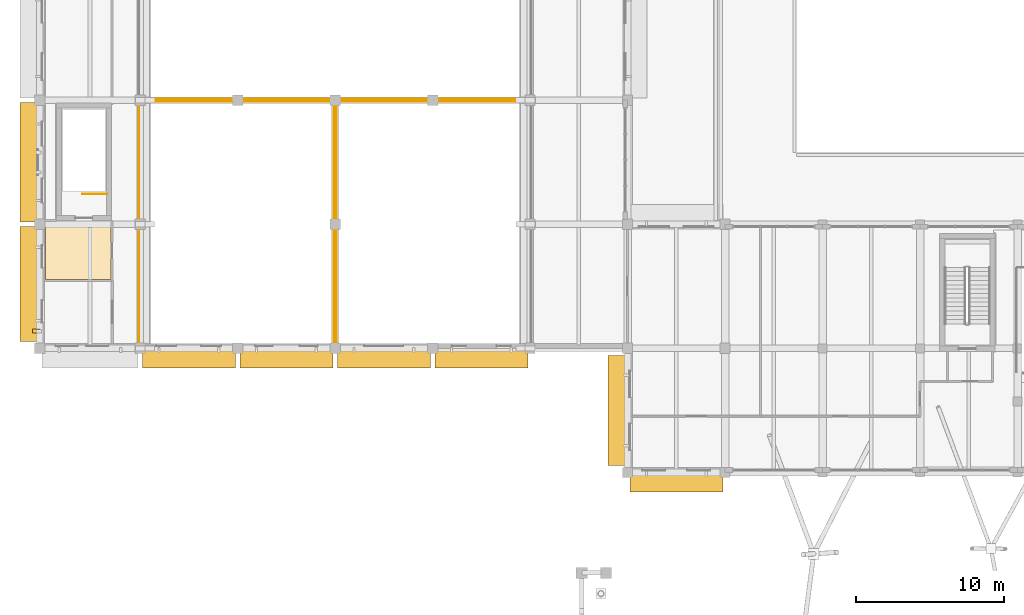
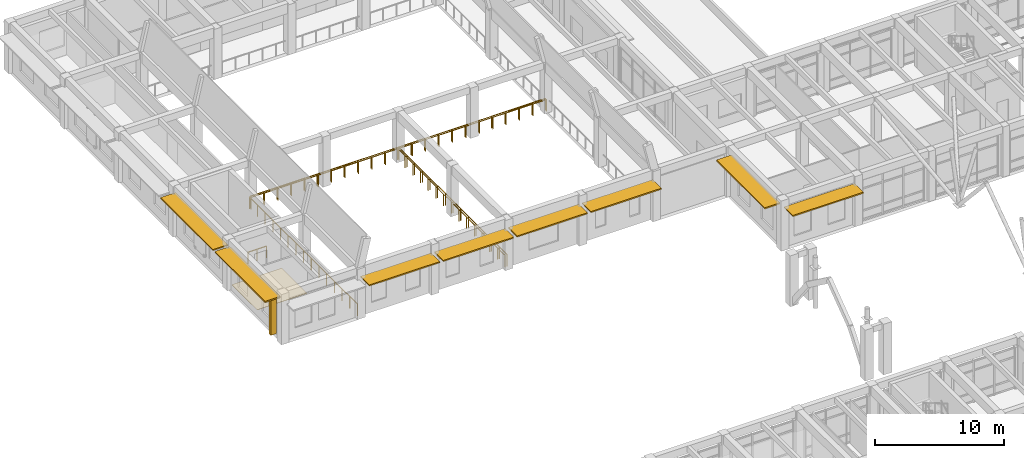
# One storey, part 67 of 75: 9 shading devices, 7 railings, 1 covering.
"""IFC4 building model written with IfcOpenShell, lengths in metres."""

from ifc_helpers import new_model, si_unit, direction, frame, origin, origin_2d, place, context, subcontext, project, spatial, polyline, rectangle, circle, outline, extrude, material, layer, layer_set, type_object, element, save


model = new_model("IFC4")

# Units and contexts
model_context = context("Model", 3, precision=1e-05, world=origin(), true_north=direction((0.0, 1.0)))
body_context = subcontext(model_context, "Body", "Model", "MODEL_VIEW")
ifc_project = project(units=[si_unit("LENGTHUNIT", "METRE"), si_unit("AREAUNIT", "SQUARE_METRE"), si_unit("VOLUMEUNIT", "CUBIC_METRE"), si_unit("PLANEANGLEUNIT", "RADIAN"), si_unit("MASSUNIT", "GRAM", prefix="KILO")], contexts=[model_context])

# Site, building, storey
site_placement = place(None, origin())
site = spatial("IfcSite", under=ifc_project, at=site_placement, CompositionType="ELEMENT")
building_placement = place(site_placement, origin())
building = spatial("IfcBuilding", under=site, at=building_placement, Name="Kolvaren Faculty of Natural Sciences", CompositionType="ELEMENT")
storey_placement = place(building_placement, frame((0.0, 0.0, 5.39990234375)))
storey = spatial("IfcBuildingStorey", under=building, at=storey_placement, Name="L01", CompositionType="ELEMENT", Elevation=5.39990234375)

# Shading devices
ifc_material_1 = material(Name="Precast concrete C35/45", Category="concrete")
ifc_layer_1 = layer(ifc_material_1, 0.1201171875)
ifc_layer_set_1 = layer_set([ifc_layer_1], Name="Precast concrete C35/45")
shading_device_type_1 = type_object("IfcShadingDeviceType", Name="ChhajjaSolarHood_1350", PredefinedType="AWNING", material=ifc_layer_set_1)
shading_device_1_placement = place(storey_placement, frame((-0.655029296875, 80.159912109375, 3.844970703125), z_axis=(0.0, 0.0, 1.0), x_axis=(0.0, 1.0, 0.0)))
element("IfcShadingDevice", 1, at=shading_device_1_placement, inside=storey, type_object=shading_device_type_1, Name="L01 precast sandstone chhajja solar hood 65", PredefinedType="AWNING", context=body_context, shape_type="SweptSolid", body=[
    extrude(rectangle(XDim=7.780029296875, YDim=1.35009765625, at=origin_2d()), origin(), (0.0, 0.0, 1.0), 0.1201171875),
])
shading_device_2_placement = place(storey_placement, frame((-0.655029296875, 88.39990234375, 3.844970703125), z_axis=(0.0, 0.0, 1.0), x_axis=(0.0, 1.0, 0.0)))
element("IfcShadingDevice", 2, at=shading_device_2_placement, inside=storey, type_object=shading_device_type_1, Name="L01 precast sandstone chhajja solar hood 66", PredefinedType="AWNING", context=body_context, shape_type="SweptSolid", body=[
    extrude(rectangle(XDim=8.10009765625, YDim=1.35009765625, at=origin_2d()), origin(), (0.0, 0.0, 1.0), 0.1201171875),
])
shading_device_3_placement = place(storey_placement, frame((43.10009765625, 66.7451171875, 3.695068359375), z_axis=(0.0, 0.0, 1.0), x_axis=(-1.0, 0.0, 0.0)))
element("IfcShadingDevice", 3, at=shading_device_3_placement, inside=storey, type_object=shading_device_type_1, Name="L01 precast sandstone chhajja solar hood 80", PredefinedType="AWNING", context=body_context, shape_type="SweptSolid", body=[
    extrude(rectangle(XDim=6.300048828125, YDim=1.35009765625, at=origin_2d()), origin(), (0.0, 0.0, 1.0), 0.1201171875),
])
shading_device_4_placement = place(storey_placement, frame((39.14501953125, 71.60009765625, 3.844970703125), z_axis=(0.0, 0.0, 1.0), x_axis=(0.0, 1.0, 0.0)))
element("IfcShadingDevice", 4, at=shading_device_4_placement, inside=storey, type_object=shading_device_type_1, Name="L01 precast sandstone chhajja solar hood 81", PredefinedType="AWNING", context=body_context, shape_type="SweptSolid", body=[
    extrude(rectangle(XDim=7.4599609375, YDim=1.35009765625, at=origin_2d()), origin(), (0.0, 0.0, 1.0), 0.1201171875),
])
for number, where, z_axis, x_axis, name in (
    (5, (29.89990234375, 75.14501953125, 3.594970703125), (0.0, 0.0, 1.0), (-1.0, 0.0, 0.0), "L01 precast sandstone chhajja solar hood 82"),
    (6, (23.300048828125, 75.14501953125, 3.594970703125), (0.0, 0.0, 1.0), (-1.0, 0.0, 0.0), "L01 precast sandstone chhajja solar hood 83"),
    (7, (16.699951171875, 75.14501953125, 3.594970703125), (0.0, 0.0, 1.0), (-1.0, 0.0, 0.0), "L01 precast sandstone chhajja solar hood 84"),
    (8, (10.10009765625, 75.14501953125, 3.594970703125), (0.0, 0.0, 1.0), (-1.0, 0.0, 0.0), "L01 precast sandstone chhajja solar hood 85"),
):
    element("IfcShadingDevice", number, at=place(storey_placement, frame(where, z_axis=z_axis, x_axis=x_axis)), inside=storey, type_object=shading_device_type_1, Name=name, PredefinedType="AWNING", context=body_context, shape_type="SweptSolid", body=[
        extrude(rectangle(XDim=6.300048828125, YDim=1.35009765625, at=origin_2d()), origin(), (0.0, 0.0, 1.0), 0.1201171875),
    ])
ifc_layer_2 = layer(ifc_material_1, 0.280029296875)
ifc_layer_set_2 = layer_set([ifc_layer_2], Name="Precast concrete C35/45")
shading_device_type_2 = type_object("IfcShadingDeviceType", Name="FacadeReliefFin_280x520", PredefinedType="USERDEFINED", material=ifc_layer_set_2)
shading_device_5_placement = place(storey_placement, frame((-0.239990234375, 76.969970703125, 0.1201171875), z_axis=(0.0, 0.0, 1.0), x_axis=(0.0, 1.0, 0.0)))
element("IfcShadingDevice", 9, at=shading_device_5_placement, inside=storey, type_object=shading_device_type_2, Name="L01 projecting sandstone facade relief fin 2", ObjectType="FIN", PredefinedType="USERDEFINED", context=body_context, shape_type="SweptSolid", body=[
    extrude(rectangle(XDim=0.280029296875, YDim=0.52001953125, at=origin_2d()), origin(), (0.0, 0.0, 1.0), 3.804931640625),
])

# Railings
ifc_material_2 = material(Name="Structural steel EN 10210-1 S355J2H", Category="steel")
ifc_layer_3 = layer(ifc_material_2, 0.048095703125)
ifc_layer_set_3 = layer_set([ifc_layer_3], Name="Structural steel EN 10210-1 S355J2H")
railing_type_1 = type_object("IfcRailingType", Name="GuardRailing_GDVOID1", PredefinedType="BALUSTRADE", material=ifc_layer_set_3)
railing_1_placement = place(storey_placement, frame((33.199951171875, 92.52001953125, 0.0)))
element("IfcRailing", 10, at=railing_1_placement, inside=storey, type_object=railing_type_1, Name="L01 LT-1 gallery balustrade 38", PredefinedType="BALUSTRADE", context=body_context, shape_type="SweptSolid", body=[
    extrude(circle(Radius=0.02392578125, at=origin_2d()), frame((0.0, 0.0, 1.09619140625), z_axis=(-1.0, 0.0, 0.0), x_axis=(0.0, -1.0, 0.0)), (0.0, 0.0, 1.0), 26.39990234375),
    extrude(circle(Radius=0.02099609375, at=origin_2d()), origin(), (0.0, 0.0, 1.0), 1.072021484375),
    extrude(circle(Radius=0.02099609375, at=origin_2d()), frame((-1.199951171875, 0.0, 0.0)), (0.0, 0.0, 1.0), 1.072021484375),
    extrude(circle(Radius=0.02099609375, at=origin_2d()), frame((-2.39990234375, 0.0, 0.0)), (0.0, 0.0, 1.0), 1.072021484375),
    extrude(circle(Radius=0.02099609375, at=origin_2d()), frame((-3.60009765625, 0.0, 0.0)), (0.0, 0.0, 1.0), 1.072021484375),
    extrude(circle(Radius=0.02099609375, at=origin_2d()), frame((-4.800048828125, 0.0, 0.0)), (0.0, 0.0, 1.0), 1.072021484375),
    extrude(circle(Radius=0.02099609375, at=origin_2d()), frame((-6.0, 0.0, 0.0)), (0.0, 0.0, 1.0), 1.072021484375),
    extrude(circle(Radius=0.02099609375, at=origin_2d()), frame((-7.199951171875, 0.0, 0.0)), (0.0, 0.0, 1.0), 1.072021484375),
    extrude(circle(Radius=0.02099609375, at=origin_2d()), frame((-8.39990234375, 0.0, 0.0)), (0.0, 0.0, 1.0), 1.072021484375),
    extrude(circle(Radius=0.02099609375, at=origin_2d()), frame((-9.599853515625, 0.0, 0.0)), (0.0, 0.0, 1.0), 1.072021484375),
    extrude(circle(Radius=0.02099609375, at=origin_2d()), frame((-10.800048828125, 0.0, 0.0)), (0.0, 0.0, 1.0), 1.072021484375),
    extrude(circle(Radius=0.02099609375, at=origin_2d()), frame((-12.0, 0.0, 0.0)), (0.0, 0.0, 1.0), 1.072021484375),
    extrude(circle(Radius=0.02099609375, at=origin_2d()), frame((-13.199951171875, 0.0, 0.0)), (0.0, 0.0, 1.0), 1.072021484375),
    extrude(circle(Radius=0.02099609375, at=origin_2d()), frame((-14.39990234375, 0.0, 0.0)), (0.0, 0.0, 1.0), 1.072021484375),
    extrude(circle(Radius=0.02099609375, at=origin_2d()), frame((-15.599853515625, 0.0, 0.0)), (0.0, 0.0, 1.0), 1.072021484375),
    extrude(circle(Radius=0.02099609375, at=origin_2d()), frame((-16.800048828125, 0.0, 0.0)), (0.0, 0.0, 1.0), 1.072021484375),
    extrude(circle(Radius=0.02099609375, at=origin_2d()), frame((-18.0, 0.0, 0.0)), (0.0, 0.0, 1.0), 1.072021484375),
    extrude(circle(Radius=0.02099609375, at=origin_2d()), frame((-19.199951171875, 0.0, 0.0)), (0.0, 0.0, 1.0), 1.072021484375),
    extrude(circle(Radius=0.02099609375, at=origin_2d()), frame((-20.39990234375, 0.0, 0.0)), (0.0, 0.0, 1.0), 1.072021484375),
    extrude(circle(Radius=0.02099609375, at=origin_2d()), frame((-21.599853515625, 0.0, 0.0)), (0.0, 0.0, 1.0), 1.072021484375),
    extrude(circle(Radius=0.02099609375, at=origin_2d()), frame((-22.7998046875, 0.0, 0.0)), (0.0, 0.0, 1.0), 1.072021484375),
    extrude(circle(Radius=0.02099609375, at=origin_2d()), frame((-24.0, 0.0, 0.0)), (0.0, 0.0, 1.0), 1.072021484375),
    extrude(circle(Radius=0.02099609375, at=origin_2d()), frame((-25.199951171875, 0.0, 0.0)), (0.0, 0.0, 1.0), 1.072021484375),
    extrude(circle(Radius=0.02099609375, at=origin_2d()), frame((-26.39990234375, 0.0, 0.0)), (0.0, 0.0, 1.0), 1.072021484375),
])
railing_2_placement = place(storey_placement, frame((6.719970703125, 75.919921875, 0.0)))
element("IfcRailing", 11, at=railing_2_placement, inside=storey, type_object=railing_type_1, Name="L01 LT-2 gallery balustrade 45", PredefinedType="BALUSTRADE", context=body_context, shape_type="SweptSolid", body=[
    extrude(circle(Radius=0.02392578125, at=origin_2d()), frame((0.0, 0.0, 1.09619140625), z_axis=(0.0, 1.0, 0.0), x_axis=(-1.0, 0.0, 0.0)), (0.0, 0.0, 1.0), 16.68017578125),
    extrude(circle(Radius=0.02099609375, at=origin_2d()), origin(), (0.0, 0.0, 1.0), 1.072021484375),
    extrude(circle(Radius=0.02099609375, at=origin_2d()), frame((0.0, 1.19140625, 0.0)), (0.0, 0.0, 1.0), 1.072021484375),
    extrude(circle(Radius=0.02099609375, at=origin_2d()), frame((0.0, 2.3828125, 0.0)), (0.0, 0.0, 1.0), 1.072021484375),
    extrude(circle(Radius=0.02099609375, at=origin_2d()), frame((0.0, 3.57421875, 0.0)), (0.0, 0.0, 1.0), 1.072021484375),
    extrude(circle(Radius=0.02099609375, at=origin_2d()), frame((0.0, 4.765869140625, 0.0)), (0.0, 0.0, 1.0), 1.072021484375),
    extrude(circle(Radius=0.02099609375, at=origin_2d()), frame((0.0, 5.957275390625, 0.0)), (0.0, 0.0, 1.0), 1.072021484375),
    extrude(circle(Radius=0.02099609375, at=origin_2d()), frame((0.0, 7.148681640625, 0.0)), (0.0, 0.0, 1.0), 1.072021484375),
    extrude(circle(Radius=0.02099609375, at=origin_2d()), frame((0.0, 8.340087890625, 0.0)), (0.0, 0.0, 1.0), 1.072021484375),
    extrude(circle(Radius=0.02099609375, at=origin_2d()), frame((0.0, 9.531494140625, 0.0)), (0.0, 0.0, 1.0), 1.072021484375),
    extrude(circle(Radius=0.02099609375, at=origin_2d()), frame((0.0, 10.722900390625, 0.0)), (0.0, 0.0, 1.0), 1.072021484375),
    extrude(circle(Radius=0.02099609375, at=origin_2d()), frame((0.0, 11.914306640625, 0.0)), (0.0, 0.0, 1.0), 1.072021484375),
    extrude(circle(Radius=0.02099609375, at=origin_2d()), frame((0.0, 13.10595703125, 0.0)), (0.0, 0.0, 1.0), 1.072021484375),
    extrude(circle(Radius=0.02099609375, at=origin_2d()), frame((0.0, 14.29736328125, 0.0)), (0.0, 0.0, 1.0), 1.072021484375),
    extrude(circle(Radius=0.02099609375, at=origin_2d()), frame((0.0, 15.48876953125, 0.0)), (0.0, 0.0, 1.0), 1.072021484375),
    extrude(circle(Radius=0.02099609375, at=origin_2d()), frame((0.0, 16.68017578125, 0.0)), (0.0, 0.0, 1.0), 1.072021484375),
])
railing_3_placement = place(storey_placement, frame((6.800048828125, 92.679931640625, 0.0)))
element("IfcRailing", 12, at=railing_3_placement, inside=storey, type_object=railing_type_1, Name="L01 LT-2 gallery balustrade 46", PredefinedType="BALUSTRADE", context=body_context, shape_type="SweptSolid", body=[
    extrude(circle(Radius=0.02392578125, at=origin_2d()), frame((0.0, 0.0, 1.09619140625), z_axis=(1.0, 0.0, 0.0), x_axis=(0.0, 1.0, 0.0)), (0.0, 0.0, 1.0), 13.199951171875),
    extrude(circle(Radius=0.02099609375, at=origin_2d()), origin(), (0.0, 0.0, 1.0), 1.072021484375),
    extrude(circle(Radius=0.02099609375, at=origin_2d()), frame((1.199951171875, 0.0, 0.0)), (0.0, 0.0, 1.0), 1.072021484375),
    extrude(circle(Radius=0.02099609375, at=origin_2d()), frame((2.39990234375, 0.0, 0.0)), (0.0, 0.0, 1.0), 1.072021484375),
    extrude(circle(Radius=0.02099609375, at=origin_2d()), frame((3.60009765625, 0.0, 0.0)), (0.0, 0.0, 1.0), 1.072021484375),
    extrude(circle(Radius=0.02099609375, at=origin_2d()), frame((4.800048828125, 0.0, 0.0)), (0.0, 0.0, 1.0), 1.072021484375),
    extrude(circle(Radius=0.02099609375, at=origin_2d()), frame((6.0, 0.0, 0.0)), (0.0, 0.0, 1.0), 1.072021484375),
    extrude(circle(Radius=0.02099609375, at=origin_2d()), frame((7.199951171875, 0.0, 0.0)), (0.0, 0.0, 1.0), 1.072021484375),
    extrude(circle(Radius=0.02099609375, at=origin_2d()), frame((8.39990234375, 0.0, 0.0)), (0.0, 0.0, 1.0), 1.072021484375),
    extrude(circle(Radius=0.02099609375, at=origin_2d()), frame((9.599853515625, 0.0, 0.0)), (0.0, 0.0, 1.0), 1.072021484375),
    extrude(circle(Radius=0.02099609375, at=origin_2d()), frame((10.800048828125, 0.0, 0.0)), (0.0, 0.0, 1.0), 1.072021484375),
    extrude(circle(Radius=0.02099609375, at=origin_2d()), frame((12.0, 0.0, 0.0)), (0.0, 0.0, 1.0), 1.072021484375),
    extrude(circle(Radius=0.02099609375, at=origin_2d()), frame((13.199951171875, 0.0, 0.0)), (0.0, 0.0, 1.0), 1.072021484375),
])
railing_4_placement = place(storey_placement, frame((20.080078125, 92.60009765625, 0.0)))
element("IfcRailing", 13, at=railing_4_placement, inside=storey, type_object=railing_type_1, Name="L01 LT-2 gallery balustrade 47", PredefinedType="BALUSTRADE", context=body_context, shape_type="SweptSolid", body=[
    extrude(circle(Radius=0.02392578125, at=origin_2d()), frame((0.0, 0.0, 1.09619140625), z_axis=(0.0, -1.0, 0.0), x_axis=(1.0, 0.0, 0.0)), (0.0, 0.0, 1.0), 16.68017578125),
    extrude(circle(Radius=0.02099609375, at=origin_2d()), origin(), (0.0, 0.0, 1.0), 1.072021484375),
    extrude(circle(Radius=0.02099609375, at=origin_2d()), frame((0.0, -1.19140625, 0.0)), (0.0, 0.0, 1.0), 1.072021484375),
    extrude(circle(Radius=0.02099609375, at=origin_2d()), frame((0.0, -2.3828125, 0.0)), (0.0, 0.0, 1.0), 1.072021484375),
    extrude(circle(Radius=0.02099609375, at=origin_2d()), frame((0.0, -3.57421875, 0.0)), (0.0, 0.0, 1.0), 1.072021484375),
    extrude(circle(Radius=0.02099609375, at=origin_2d()), frame((0.0, -4.765869140625, 0.0)), (0.0, 0.0, 1.0), 1.072021484375),
    extrude(circle(Radius=0.02099609375, at=origin_2d()), frame((0.0, -5.957275390625, 0.0)), (0.0, 0.0, 1.0), 1.072021484375),
    extrude(circle(Radius=0.02099609375, at=origin_2d()), frame((0.0, -7.148681640625, 0.0)), (0.0, 0.0, 1.0), 1.072021484375),
    extrude(circle(Radius=0.02099609375, at=origin_2d()), frame((0.0, -8.340087890625, 0.0)), (0.0, 0.0, 1.0), 1.072021484375),
    extrude(circle(Radius=0.02099609375, at=origin_2d()), frame((0.0, -9.531494140625, 0.0)), (0.0, 0.0, 1.0), 1.072021484375),
    extrude(circle(Radius=0.02099609375, at=origin_2d()), frame((0.0, -10.722900390625, 0.0)), (0.0, 0.0, 1.0), 1.072021484375),
    extrude(circle(Radius=0.02099609375, at=origin_2d()), frame((0.0, -11.914306640625, 0.0)), (0.0, 0.0, 1.0), 1.072021484375),
    extrude(circle(Radius=0.02099609375, at=origin_2d()), frame((0.0, -13.10595703125, 0.0)), (0.0, 0.0, 1.0), 1.072021484375),
    extrude(circle(Radius=0.02099609375, at=origin_2d()), frame((0.0, -14.29736328125, 0.0)), (0.0, 0.0, 1.0), 1.072021484375),
    extrude(circle(Radius=0.02099609375, at=origin_2d()), frame((0.0, -15.48876953125, 0.0)), (0.0, 0.0, 1.0), 1.072021484375),
    extrude(circle(Radius=0.02099609375, at=origin_2d()), frame((0.0, -16.68017578125, 0.0)), (0.0, 0.0, 1.0), 1.072021484375),
])
railing_5_placement = place(storey_placement, frame((19.919921875, 75.919921875, 0.0)))
element("IfcRailing", 14, at=railing_5_placement, inside=storey, type_object=railing_type_1, Name="L01 LT-3 gallery balustrade 51", PredefinedType="BALUSTRADE", context=body_context, shape_type="SweptSolid", body=[
    extrude(circle(Radius=0.02392578125, at=origin_2d()), frame((0.0, 0.0, 1.09619140625), z_axis=(0.0, 1.0, 0.0), x_axis=(-1.0, 0.0, 0.0)), (0.0, 0.0, 1.0), 16.68017578125),
    extrude(circle(Radius=0.02099609375, at=origin_2d()), origin(), (0.0, 0.0, 1.0), 1.072021484375),
    extrude(circle(Radius=0.02099609375, at=origin_2d()), frame((0.0, 1.19140625, 0.0)), (0.0, 0.0, 1.0), 1.072021484375),
    extrude(circle(Radius=0.02099609375, at=origin_2d()), frame((0.0, 2.3828125, 0.0)), (0.0, 0.0, 1.0), 1.072021484375),
    extrude(circle(Radius=0.02099609375, at=origin_2d()), frame((0.0, 3.57421875, 0.0)), (0.0, 0.0, 1.0), 1.072021484375),
    extrude(circle(Radius=0.02099609375, at=origin_2d()), frame((0.0, 4.765869140625, 0.0)), (0.0, 0.0, 1.0), 1.072021484375),
    extrude(circle(Radius=0.02099609375, at=origin_2d()), frame((0.0, 5.957275390625, 0.0)), (0.0, 0.0, 1.0), 1.072021484375),
    extrude(circle(Radius=0.02099609375, at=origin_2d()), frame((0.0, 7.148681640625, 0.0)), (0.0, 0.0, 1.0), 1.072021484375),
    extrude(circle(Radius=0.02099609375, at=origin_2d()), frame((0.0, 8.340087890625, 0.0)), (0.0, 0.0, 1.0), 1.072021484375),
    extrude(circle(Radius=0.02099609375, at=origin_2d()), frame((0.0, 9.531494140625, 0.0)), (0.0, 0.0, 1.0), 1.072021484375),
    extrude(circle(Radius=0.02099609375, at=origin_2d()), frame((0.0, 10.722900390625, 0.0)), (0.0, 0.0, 1.0), 1.072021484375),
    extrude(circle(Radius=0.02099609375, at=origin_2d()), frame((0.0, 11.914306640625, 0.0)), (0.0, 0.0, 1.0), 1.072021484375),
    extrude(circle(Radius=0.02099609375, at=origin_2d()), frame((0.0, 13.10595703125, 0.0)), (0.0, 0.0, 1.0), 1.072021484375),
    extrude(circle(Radius=0.02099609375, at=origin_2d()), frame((0.0, 14.29736328125, 0.0)), (0.0, 0.0, 1.0), 1.072021484375),
    extrude(circle(Radius=0.02099609375, at=origin_2d()), frame((0.0, 15.48876953125, 0.0)), (0.0, 0.0, 1.0), 1.072021484375),
    extrude(circle(Radius=0.02099609375, at=origin_2d()), frame((0.0, 16.68017578125, 0.0)), (0.0, 0.0, 1.0), 1.072021484375),
])
railing_6_placement = place(storey_placement, frame((20.0, 92.679931640625, 0.0)))
element("IfcRailing", 15, at=railing_6_placement, inside=storey, type_object=railing_type_1, Name="L01 LT-3 gallery balustrade 52", PredefinedType="BALUSTRADE", context=body_context, shape_type="SweptSolid", body=[
    extrude(circle(Radius=0.02392578125, at=origin_2d()), frame((0.0, 0.0, 1.09619140625), z_axis=(1.0, 0.0, 0.0), x_axis=(0.0, 1.0, 0.0)), (0.0, 0.0, 1.0), 13.199951171875),
    extrude(circle(Radius=0.02099609375, at=origin_2d()), origin(), (0.0, 0.0, 1.0), 1.072021484375),
    extrude(circle(Radius=0.02099609375, at=origin_2d()), frame((1.199951171875, 0.0, 0.0)), (0.0, 0.0, 1.0), 1.072021484375),
    extrude(circle(Radius=0.02099609375, at=origin_2d()), frame((2.39990234375, 0.0, 0.0)), (0.0, 0.0, 1.0), 1.072021484375),
    extrude(circle(Radius=0.02099609375, at=origin_2d()), frame((3.60009765625, 0.0, 0.0)), (0.0, 0.0, 1.0), 1.072021484375),
    extrude(circle(Radius=0.02099609375, at=origin_2d()), frame((4.800048828125, 0.0, 0.0)), (0.0, 0.0, 1.0), 1.072021484375),
    extrude(circle(Radius=0.02099609375, at=origin_2d()), frame((6.0, 0.0, 0.0)), (0.0, 0.0, 1.0), 1.072021484375),
    extrude(circle(Radius=0.02099609375, at=origin_2d()), frame((7.199951171875, 0.0, 0.0)), (0.0, 0.0, 1.0), 1.072021484375),
    extrude(circle(Radius=0.02099609375, at=origin_2d()), frame((8.39990234375, 0.0, 0.0)), (0.0, 0.0, 1.0), 1.072021484375),
    extrude(circle(Radius=0.02099609375, at=origin_2d()), frame((9.599853515625, 0.0, 0.0)), (0.0, 0.0, 1.0), 1.072021484375),
    extrude(circle(Radius=0.02099609375, at=origin_2d()), frame((10.800048828125, 0.0, 0.0)), (0.0, 0.0, 1.0), 1.072021484375),
    extrude(circle(Radius=0.02099609375, at=origin_2d()), frame((12.0, 0.0, 0.0)), (0.0, 0.0, 1.0), 1.072021484375),
    extrude(circle(Radius=0.02099609375, at=origin_2d()), frame((13.199951171875, 0.0, 0.0)), (0.0, 0.0, 1.0), 1.072021484375),
])
ifc_layer_4 = layer(ifc_material_2, 0.048095703125)
ifc_layer_set_4 = layer_set([ifc_layer_4], Name="Structural steel EN 10210-1 S355J2H")
railing_type_2 = type_object("IfcRailingType", Name="StairWellGuard_1100", PredefinedType="BALUSTRADE", material=ifc_layer_set_4)
railing_7_placement = place(storey_placement, frame((4.550048828125, 86.25, 0.0)))
element("IfcRailing", 16, at=railing_7_placement, inside=storey, type_object=railing_type_2, Name="L01 ST-5 top well guard 1", PredefinedType="BALUSTRADE", context=body_context, shape_type="SweptSolid", body=[
    extrude(circle(Radius=0.02392578125, at=origin_2d()), frame((0.0, 0.0, 1.076171875), z_axis=(-1.0, 0.0, 0.0), x_axis=(0.0, -1.0, 0.0)), (0.0, 0.0, 1.0), 1.650146484375),
    extrude(circle(Radius=0.02099609375, at=origin_2d()), origin(), (0.0, 0.0, 1.0), 1.052001953125),
    extrude(circle(Radius=0.02099609375, at=origin_2d()), frame((-0.8251953125, 0.0, 0.0)), (0.0, 0.0, 1.0), 1.052001953125),
    extrude(circle(Radius=0.02099609375, at=origin_2d()), frame((-1.650146484375, 0.0, 0.0)), (0.0, 0.0, 1.0), 1.052001953125),
])

# Covering
ifc_material_3 = material(Name="Polished Uruguayan grey granite terrazzo flooring", Category="masonry")
ifc_layer_5 = layer(ifc_material_3, 0.030029296875)
ifc_layer_set_5 = layer_set([ifc_layer_5], Name="Polished Uruguayan grey granite terrazzo flooring")
covering_type = type_object("IfcCoveringType", Name="TerrazzoFloorFinish_30", PredefinedType="FLOORING", material=ifc_layer_set_5)
covering_placement = place(storey_placement, origin())
element("IfcCovering", 17, at=covering_placement, inside=storey, type_object=covering_type, Name="L01 L01 Protected Stair Lobby ST-5 floor finish", PredefinedType="FLOORING", context=body_context, shape_type="SweptSolid", body=[
    extrude(outline(polyline([(0.3798828125, 80.4599609375), (0.3798828125, 84.389892578125), (4.840087890625, 84.389892578125), (4.840087890625, 80.4599609375), (0.3798828125, 80.4599609375)])), origin(), (0.0, 0.0, 1.0), 0.030029296875),
])

save(model, "model.ifc")
